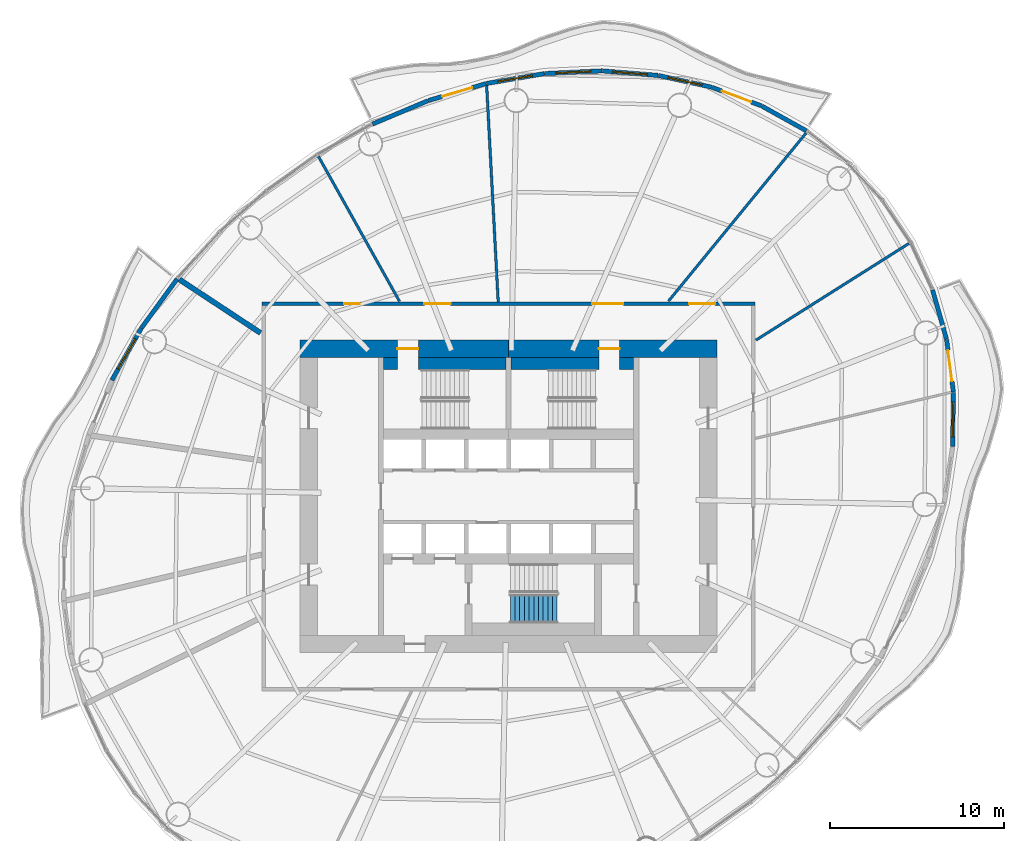
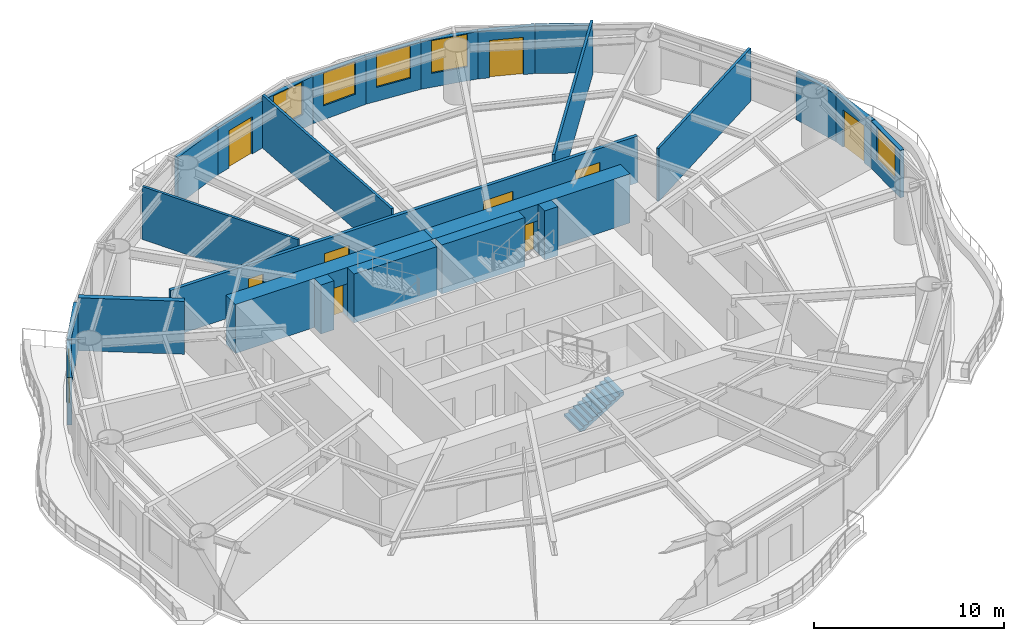
# One storey, part 10 of 14: 25 walls, 9 doors, 6 windows, 1 stair flight, 15 openings, 1 element without a shape of its own.
"""IFC4 building model written with IfcOpenShell, lengths in metres."""

from ifc_helpers import new_model, si_unit, direction, frame, frame_2d, origin, place, context, subcontext, project, spatial, polyline, rectangle, outline, extrude, material, layer, layer_set, type_object, element, fill, aggregate, save


model = new_model("IFC4")

# Units and contexts
model_context = context("Model", 3, precision=1e-05, world=origin(), true_north=direction((0.0, 1.0)))
body_context = subcontext(model_context, "Body", "Model", "MODEL_VIEW")
ifc_project = project(units=[si_unit("LENGTHUNIT", "METRE"), si_unit("AREAUNIT", "SQUARE_METRE"), si_unit("VOLUMEUNIT", "CUBIC_METRE"), si_unit("PLANEANGLEUNIT", "RADIAN"), si_unit("MASSUNIT", "GRAM", prefix="KILO")], contexts=[model_context])

# Site, building, storey
site_placement = place(None, origin())
site = spatial("IfcSite", under=ifc_project, at=site_placement, CompositionType="ELEMENT")
building_placement = place(site_placement, origin())
building = spatial("IfcBuilding", under=site, at=building_placement, Name="Vermilion Reach Broadcast Tower", CompositionType="ELEMENT")
storey_placement = place(building_placement, frame((0.0, 0.0, 186.60009765625)))
storey = spatial("IfcBuildingStorey", under=building, at=storey_placement, Name="L45", CompositionType="ELEMENT", Elevation=186.60009765625)

# Wall, opening, door
ifc_material_1 = material(Name="Concrete C70", Category="concrete")
ifc_layer_1 = layer(ifc_material_1, 1.0)
ifc_layer_set_1 = layer_set([ifc_layer_1], Name="Core outer wall 1000 mm Concrete C70")
wall_type_1 = type_object("IfcWallType", Name="Core outer wall 1000 mm Concrete C70", PredefinedType="SHEAR", material=ifc_layer_set_1)
wall_1_placement = place(storey_placement, frame((6.0, 8.5, 0.0), z_axis=(0.0, 0.0, 1.0), x_axis=(-1.0, 0.0, 0.0)))
wall_1 = element("IfcWall", 1, at=wall_1_placement, inside=storey, type_object=wall_type_1, Name="L45 core wall onE", PredefinedType="SHEAR", context=body_context, shape_type="SweptSolid", body=[
    extrude(rectangle(XDim=12.0, YDim=1.0, at=frame_2d((6.0, 0.0))), origin(), (0.0, 0.0, 1.0), 3.14990234375),
])
opening_1_placement = place(wall_1_placement, frame((5.60009765625, 0.0, 0.0)))
opening_1 = element("IfcOpeningElement", 2, at=opening_1_placement, cuts=wall_1, Name="Opening D01", PredefinedType="OPENING", context=body_context, shape_type="SweptSolid", body=[
    extrude(rectangle(XDim=1.199951171875, YDim=2.10009765625, at=frame_2d((0.60009765625, 1.050048828125))), frame((0.0, 0.510009765625, 0.0), z_axis=(0.0, -1.0, 0.0), x_axis=(1.0, 0.0, 0.0)), (0.0, 0.0, 1.0), 1.02001953125),
])
ifc_material_2 = material(Name="Painted steel fire door", Category="steel")
door_type_1 = type_object("IfcDoorType", Name="Stair door 1200 x 2100", OperationType="DOUBLE_DOOR_SINGLE_SWING", PredefinedType="NOTDEFINED", material=ifc_material_2)
door_1_placement = place(opening_1_placement, origin())
door_1 = element("IfcDoor", 3, at=door_1_placement, inside=storey, type_object=door_type_1, Name="L45 stair door ST2", OperationType="DOUBLE_DOOR_SINGLE_SWING", OverallHeight=2.10009765625, OverallWidth=1.199951171875, PredefinedType="NOTDEFINED", context=body_context, shape_type="SweptSolid", body=[
    extrude(rectangle(XDim=1.199951171875, YDim=2.10009765625, at=frame_2d((0.60009765625, 1.050048828125))), frame((0.0, 0.02490234375, 0.0), z_axis=(0.0, -1.0, 0.0), x_axis=(1.0, 0.0, 0.0)), (0.0, 0.0, 1.0), 0.050048828125),
])
fill(opening_1, door_1)

wall_2_placement = place(storey_placement, frame((-6.0, 8.5, 0.0), z_axis=(0.0, 0.0, 1.0), x_axis=(-1.0, 0.0, 0.0)))
wall_2 = element("IfcWall", 4, at=wall_2_placement, inside=storey, type_object=wall_type_1, Name="L45 core wall onW", PredefinedType="SHEAR", context=body_context, shape_type="SweptSolid", body=[
    extrude(rectangle(XDim=12.0, YDim=1.0, at=frame_2d((6.0, 0.0))), origin(), (0.0, 0.0, 1.0), 3.14990234375),
])
opening_2_placement = place(wall_2_placement, frame((5.199951171875, 0.0, 0.0)))
opening_2 = element("IfcOpeningElement", 5, at=opening_2_placement, cuts=wall_2, Name="Opening D01", PredefinedType="OPENING", context=body_context, shape_type="SweptSolid", body=[
    extrude(rectangle(XDim=1.199951171875, YDim=2.10009765625, at=frame_2d((0.60009765625, 1.050048828125))), frame((0.0, 0.510009765625, 0.0), z_axis=(0.0, -1.0, 0.0), x_axis=(1.0, 0.0, 0.0)), (0.0, 0.0, 1.0), 1.02001953125),
])
door_2_placement = place(opening_2_placement, origin())
door_2 = element("IfcDoor", 6, at=door_2_placement, inside=storey, type_object=door_type_1, Name="L45 stair door ST1", OperationType="DOUBLE_DOOR_SINGLE_SWING", OverallHeight=2.10009765625, OverallWidth=1.199951171875, PredefinedType="NOTDEFINED", context=body_context, shape_type="SweptSolid", body=[
    extrude(rectangle(XDim=1.199951171875, YDim=2.10009765625, at=frame_2d((0.60009765625, 1.050048828125))), frame((0.0, 0.02490234375, 0.0), z_axis=(0.0, -1.0, 0.0), x_axis=(1.0, 0.0, 0.0)), (0.0, 0.0, 1.0), 0.050048828125),
])
fill(opening_2, door_2)

# Walls
ifc_material_3 = material(Name="Concrete C70", Category="concrete")
ifc_layer_2 = layer(ifc_material_3, 0.699951171875)
ifc_layer_set_2 = layer_set([ifc_layer_2], Name="Core stair wall 700 mm Concrete C70")
wall_type_2 = type_object("IfcWallType", Name="Core stair wall 700 mm Concrete C70", PredefinedType="SHEAR", material=ifc_layer_set_2)
wall_3_placement = place(storey_placement, frame((-13.199951171875, 7.64990234375, 0.0), z_axis=(0.0, 0.0, 1.0), x_axis=(1.0, 0.0, 0.0)))
element("IfcWall", 7, at=wall_3_placement, inside=storey, type_object=wall_type_2, Name="L45 core wall l1a", PredefinedType="SHEAR", context=body_context, shape_type="SweptSolid", body=[
    extrude(rectangle(XDim=0.800048828125, YDim=0.699951171875, at=frame_2d((0.39990234375, 0.0))), origin(), (0.0, 0.0, 1.0), 3.14990234375),
])
for number, where, z_axis, x_axis, name in (
    (8, (-11.199951171875, 7.64990234375, 0.0), (0.0, 0.0, 1.0), (1.0, 0.0, 0.0), "L45 core wall l1b"),
    (9, (-5.85009765625, 7.64990234375, 0.0), (0.0, 0.0, 1.0), (1.0, 0.0, 0.0), "L45 core wall l2a"),
):
    element("IfcWall", number, at=place(storey_placement, frame(where, z_axis=z_axis, x_axis=x_axis)), inside=storey, type_object=wall_type_2, Name=name, PredefinedType="SHEAR", context=body_context, shape_type="SweptSolid", body=[
        extrude(rectangle(XDim=5.050048828125, YDim=0.699951171875, at=frame_2d((2.52490234375, 0.0))), origin(), (0.0, 0.0, 1.0), 3.14990234375),
    ])
wall_4_placement = place(storey_placement, frame((0.39990234375, 7.64990234375, 0.0), z_axis=(0.0, 0.0, 1.0), x_axis=(1.0, 0.0, 0.0)))
element("IfcWall", 10, at=wall_4_placement, inside=storey, type_object=wall_type_2, Name="L45 core wall l2b", PredefinedType="SHEAR", context=body_context, shape_type="SweptSolid", body=[
    extrude(rectangle(XDim=0.800048828125, YDim=0.699951171875, at=frame_2d((0.39990234375, 0.0))), origin(), (0.0, 0.0, 1.0), 3.14990234375),
])
ifc_material_4 = material(Name="Lightweight concrete block, plastered", Category="concrete")
ifc_layer_3 = layer(ifc_material_4, 0.14990234375)
ifc_layer_set_3 = layer_set([ifc_layer_3], Name="Partition 150 lightweight block")
wall_type_3 = type_object("IfcWallType", Name="Partition 150 lightweight block", PredefinedType="PARTITIONING", material=ifc_layer_set_3)
wall_5_placement = place(storey_placement, frame((11.126953125, 20.920654296875, 0.0), z_axis=(0.0, 0.0, 1.0), x_axis=(-0.633457906247, -0.773777152036, 0.0)))
element("IfcWall", 11, at=wall_5_placement, inside=storey, type_object=wall_type_3, Name="Partition 45.01", PredefinedType="PARTITIONING", context=body_context, shape_type="SweptSolid", body=[
    extrude(rectangle(XDim=12.501220703125, YDim=0.14990234375, at=frame_2d((6.25048828125, 0.0))), origin(), (0.0, 0.0, 1.0), 3.39990234375),
])
wall_6_placement = place(storey_placement, frame((-7.26318359375, 23.652587890625, 0.0), z_axis=(0.0, 0.0, 1.0), x_axis=(0.05332768543, -0.998577066614, 0.0)))
element("IfcWall", 12, at=wall_6_placement, inside=storey, type_object=wall_type_3, Name="Partition 45.02", PredefinedType="PARTITIONING", context=body_context, shape_type="SweptSolid", body=[
    extrude(rectangle(XDim=12.46630859375, YDim=0.14990234375, at=frame_2d((6.233154296875, 0.0))), origin(), (0.0, 0.0, 1.0), 3.39990234375),
])
wall_7_placement = place(storey_placement, frame((-16.9453125, 19.571044921875, 0.0), z_axis=(0.0, 0.0, 1.0), x_axis=(0.488111272847, -0.872781407524, 0.0)))
element("IfcWall", 13, at=wall_7_placement, inside=storey, type_object=wall_type_3, Name="Partition 45.03", PredefinedType="PARTITIONING", context=body_context, shape_type="SweptSolid", body=[
    extrude(rectangle(XDim=9.54931640625, YDim=0.14990234375, at=frame_2d((4.774658203125, 0.0))), origin(), (0.0, 0.0, 1.0), 3.39990234375),
])
wall_8_placement = place(storey_placement, frame((17.048828125, 14.564697265625, 0.0), z_axis=(0.0, 0.0, 1.0), x_axis=(-0.845361941964, -0.534193960167, 0.0)))
element("IfcWall", 14, at=wall_8_placement, inside=storey, type_object=wall_type_3, Name="Partition 45.12", PredefinedType="PARTITIONING", context=body_context, shape_type="SweptSolid", body=[
    extrude(rectangle(XDim=10.420166015625, YDim=0.14990234375, at=frame_2d((5.2099609375, 0.0))), origin(), (0.0, 0.0, 1.0), 3.39990234375),
])
ifc_material_5 = material(Name="Double-leaf plasterboard on isolated steel stud", Category="steel")
ifc_layer_4 = layer(ifc_material_5, 0.300048828125)
ifc_layer_set_4 = layer_set([ifc_layer_4], Name="Partition 300 acoustic double leaf")
wall_type_4 = type_object("IfcWallType", Name="Partition 300 acoustic double leaf", PredefinedType="PARTITIONING", material=ifc_layer_set_4)
wall_9_placement = place(storey_placement, frame((-24.95458984375, 12.49169921875, 0.0), z_axis=(0.0, 0.0, 1.0), x_axis=(0.834978707923, -0.550282252408, 0.0)))
element("IfcWall", 15, at=wall_9_placement, inside=storey, type_object=wall_type_4, Name="Partition 45.04", PredefinedType="PARTITIONING", context=body_context, shape_type="SweptSolid", body=[
    extrude(rectangle(XDim=5.595458984375, YDim=0.300048828125, at=frame_2d((2.7978515625, 0.0))), origin(), (0.0, 0.0, 1.0), 3.39990234375),
])
ifc_material_6 = material(Name="Terracotta rainscreen cladding", Category="masonry")
ifc_layer_5 = layer(ifc_material_6, 0.25)
ifc_layer_set_5 = layer_set([ifc_layer_5], Name="Terracotta rainscreen wall 250")
wall_type_5 = type_object("IfcWallType", Name="Terracotta rainscreen wall 250", PredefinedType="SOLIDWALL", material=ifc_layer_set_5)
wall_10_placement = place(storey_placement, frame((11.14794921875, 21.051513671875, 0.0), z_axis=(0.0, 0.0, 1.0), x_axis=(-0.87378450028, 0.486313321914, 0.0)))
element("IfcWall", 16, at=wall_10_placement, inside=storey, type_object=wall_type_5, Name="External wall L45 02", PredefinedType="SOLIDWALL", context=body_context, shape_type="SweptSolid", body=[
    extrude(rectangle(XDim=2.936767578125, YDim=0.25, at=frame_2d((1.46826171875, 0.0))), origin(), (0.0, 0.0, 1.0), 3.0498046875),
])

# Wall, opening, door
wall_11_placement = place(storey_placement, frame((8.5576171875, 22.490966796875, 0.0), z_axis=(0.0, 0.0, 1.0), x_axis=(-0.936302820001, 0.351193720413, 0.0)))
wall_11 = element("IfcWall", 17, at=wall_11_placement, inside=storey, type_object=wall_type_5, Name="External wall L45 03", PredefinedType="SOLIDWALL", context=body_context, shape_type="SweptSolid", body=[
    extrude(rectangle(XDim=3.045654296875, YDim=0.25, at=frame_2d((1.52294921875, 0.0))), origin(), (0.0, 0.0, 1.0), 3.0498046875),
])
opening_3_placement = place(wall_11_placement, frame((0.623046875, 0.0, 0.0)))
opening_3 = element("IfcOpeningElement", 18, at=opening_3_placement, cuts=wall_11, Name="Opening D70", PredefinedType="OPENING", context=body_context, shape_type="SweptSolid", body=[
    extrude(rectangle(XDim=1.800048828125, YDim=2.39990234375, at=frame_2d((0.89990234375, 1.199951171875))), frame((0.0, 0.135009765625, 0.0), z_axis=(0.0, -1.0, 0.0), x_axis=(1.0, 0.0, 0.0)), (0.0, 0.0, 1.0), 0.27001953125),
])
ifc_material_7 = material(Name="Low-e laminated clear glass in aluminium frame", Category="aluminium")
door_type_2 = type_object("IfcDoorType", Name="Balcony sliding door 1800 x 2400", OperationType="DOUBLE_DOOR_SLIDING", PredefinedType="DOOR", material=ifc_material_7)
door_3_placement = place(opening_3_placement, origin())
door_3 = element("IfcDoor", 19, at=door_3_placement, inside=storey, type_object=door_type_2, Name="Balcony door L45 run 01", OperationType="DOUBLE_DOOR_SLIDING", OverallHeight=2.39990234375, OverallWidth=1.800048828125, PredefinedType="DOOR", context=body_context, shape_type="SweptSolid", body=[
    extrude(rectangle(XDim=1.800048828125, YDim=2.39990234375, at=frame_2d((0.89990234375, 1.199951171875))), frame((0.0, 0.02490234375, 0.0), z_axis=(0.0, -1.0, 0.0), x_axis=(1.0, 0.0, 0.0)), (0.0, 0.0, 1.0), 0.050048828125),
])
fill(opening_3, door_3)

# Wall, opening, window
wall_12_placement = place(storey_placement, frame((5.681396484375, 23.56787109375, 0.0), z_axis=(0.0, 0.0, 1.0), x_axis=(-0.976666093786, 0.214763454175, 0.0)))
wall_12 = element("IfcWall", 20, at=wall_12_placement, inside=storey, type_object=wall_type_5, Name="External wall L45 04", PredefinedType="SOLIDWALL", context=body_context, shape_type="SweptSolid", body=[
    extrude(rectangle(XDim=3.126220703125, YDim=0.25, at=frame_2d((1.56298828125, 0.0))), origin(), (0.0, 0.0, 1.0), 3.0498046875),
])
opening_4_placement = place(wall_12_placement, frame((0.56298828125, 0.0, 0.89990234375)))
opening_4 = element("IfcOpeningElement", 21, at=opening_4_placement, cuts=wall_12, Name="Opening W03", PredefinedType="OPENING", context=body_context, shape_type="SweptSolid", body=[
    extrude(rectangle(XDim=2.0, YDim=2.10009765625, at=frame_2d((1.0, 1.050048828125))), frame((0.0, 0.135009765625, 0.0), z_axis=(0.0, -1.0, 0.0), x_axis=(1.0, 0.0, 0.0)), (0.0, 0.0, 1.0), 0.27001953125),
])
ifc_material_8 = material(Name="Low-e laminated clear glass in aluminium frame", Category="aluminium")
window_type = type_object("IfcWindowType", Name="Punched window 2000 x 2100 sill 900", PartitioningType="SINGLE_PANEL", PredefinedType="WINDOW", material=ifc_material_8)
window_1_placement = place(opening_4_placement, origin())
window_1 = element("IfcWindow", 22, at=window_1_placement, inside=storey, type_object=window_type, Name="Window L45 04", OverallHeight=2.10009765625, OverallWidth=2.0, PartitioningType="SINGLE_PANEL", PredefinedType="WINDOW", context=body_context, shape_type="SweptSolid", body=[
    extrude(rectangle(XDim=2.0, YDim=2.10009765625, at=frame_2d((1.0, 1.050048828125))), frame((0.0, 0.030029296875, 0.0), z_axis=(0.0, -1.0, 0.0), x_axis=(1.0, 0.0, 0.0)), (0.0, 0.0, 1.0), 0.06005859375),
])
fill(opening_4, window_1)

wall_13_placement = place(storey_placement, frame((2.603515625, 24.242919921875, 0.0), z_axis=(0.0, 0.0, 1.0), x_axis=(-0.996696549615, 0.081215688051, 0.0)))
wall_13 = element("IfcWall", 23, at=wall_13_placement, inside=storey, type_object=wall_type_5, Name="External wall L45 05", PredefinedType="SOLIDWALL", context=body_context, shape_type="SweptSolid", body=[
    extrude(rectangle(XDim=3.21337890625, YDim=0.25, at=frame_2d((1.606689453125, 0.0))), origin(), (0.0, 0.0, 1.0), 3.0498046875),
])
opening_5_placement = place(wall_13_placement, frame((0.606689453125, 0.0, 0.89990234375)))
opening_5 = element("IfcOpeningElement", 24, at=opening_5_placement, cuts=wall_13, Name="Opening W03", PredefinedType="OPENING", context=body_context, shape_type="SweptSolid", body=[
    extrude(rectangle(XDim=2.0, YDim=2.10009765625, at=frame_2d((1.0, 1.050048828125))), frame((0.0, 0.135009765625, 0.0), z_axis=(0.0, -1.0, 0.0), x_axis=(1.0, 0.0, 0.0)), (0.0, 0.0, 1.0), 0.27001953125),
])
window_2_placement = place(opening_5_placement, origin())
window_2 = element("IfcWindow", 25, at=window_2_placement, inside=storey, type_object=window_type, Name="Window L45 05", OverallHeight=2.10009765625, OverallWidth=2.0, PartitioningType="SINGLE_PANEL", PredefinedType="WINDOW", context=body_context, shape_type="SweptSolid", body=[
    extrude(rectangle(XDim=2.0, YDim=2.10009765625, at=frame_2d((1.0, 1.050048828125))), frame((0.0, 0.030029296875, 0.0), z_axis=(0.0, -1.0, 0.0), x_axis=(1.0, 0.0, 0.0)), (0.0, 0.0, 1.0), 0.06005859375),
])
fill(opening_5, window_2)

wall_14_placement = place(storey_placement, frame((-0.623291015625, 24.50439453125, 0.0), z_axis=(0.0, 0.0, 1.0), x_axis=(-0.998890112475, -0.047101413994, 0.0)))
wall_14 = element("IfcWall", 26, at=wall_14_placement, inside=storey, type_object=wall_type_5, Name="External wall L45 06", PredefinedType="SOLIDWALL", context=body_context, shape_type="SweptSolid", body=[
    extrude(rectangle(XDim=3.3017578125, YDim=0.25, at=frame_2d((1.65087890625, 0.0))), origin(), (0.0, 0.0, 1.0), 3.0498046875),
])
opening_6_placement = place(wall_14_placement, frame((0.65087890625, 0.0, 0.89990234375)))
opening_6 = element("IfcOpeningElement", 27, at=opening_6_placement, cuts=wall_14, Name="Opening W03", PredefinedType="OPENING", context=body_context, shape_type="SweptSolid", body=[
    extrude(rectangle(XDim=2.0, YDim=2.10009765625, at=frame_2d((1.0, 1.050048828125))), frame((0.0, 0.135009765625, 0.0), z_axis=(0.0, -1.0, 0.0), x_axis=(1.0, 0.0, 0.0)), (0.0, 0.0, 1.0), 0.27001953125),
])
window_3_placement = place(opening_6_placement, origin())
window_3 = element("IfcWindow", 28, at=window_3_placement, inside=storey, type_object=window_type, Name="Window L45 06", OverallHeight=2.10009765625, OverallWidth=2.0, PartitioningType="SINGLE_PANEL", PredefinedType="WINDOW", context=body_context, shape_type="SweptSolid", body=[
    extrude(rectangle(XDim=2.0, YDim=2.10009765625, at=frame_2d((1.0, 1.050048828125))), frame((0.0, 0.030029296875, 0.0), z_axis=(0.0, -1.0, 0.0), x_axis=(1.0, 0.0, 0.0)), (0.0, 0.0, 1.0), 0.06005859375),
])
fill(opening_6, window_3)

wall_15_placement = place(storey_placement, frame((-3.9443359375, 24.346435546875, 0.0), z_axis=(0.0, 0.0, 1.0), x_axis=(-0.985711019597, -0.168445201314, 0.0)))
wall_15 = element("IfcWall", 29, at=wall_15_placement, inside=storey, type_object=wall_type_5, Name="External wall L45 07", PredefinedType="SOLIDWALL", context=body_context, shape_type="SweptSolid", body=[
    extrude(rectangle(XDim=3.38427734375, YDim=0.25, at=frame_2d((1.692138671875, 0.0))), origin(), (0.0, 0.0, 1.0), 3.0498046875),
])
opening_7_placement = place(wall_15_placement, frame((0.692138671875, 0.0, 0.89990234375)))
opening_7 = element("IfcOpeningElement", 30, at=opening_7_placement, cuts=wall_15, Name="Opening W03", PredefinedType="OPENING", context=body_context, shape_type="SweptSolid", body=[
    extrude(rectangle(XDim=2.0, YDim=2.10009765625, at=frame_2d((1.0, 1.050048828125))), frame((0.0, 0.135009765625, 0.0), z_axis=(0.0, -1.0, 0.0), x_axis=(1.0, 0.0, 0.0)), (0.0, 0.0, 1.0), 0.27001953125),
])
window_4_placement = place(opening_7_placement, origin())
window_4 = element("IfcWindow", 31, at=window_4_placement, inside=storey, type_object=window_type, Name="Window L45 07", OverallHeight=2.10009765625, OverallWidth=2.0, PartitioningType="SINGLE_PANEL", PredefinedType="WINDOW", context=body_context, shape_type="SweptSolid", body=[
    extrude(rectangle(XDim=2.0, YDim=2.10009765625, at=frame_2d((1.0, 1.050048828125))), frame((0.0, 0.030029296875, 0.0), z_axis=(0.0, -1.0, 0.0), x_axis=(1.0, 0.0, 0.0)), (0.0, 0.0, 1.0), 0.06005859375),
])
fill(opening_7, window_4)

# Wall, opening, door
wall_16_placement = place(storey_placement, frame((-7.30224609375, 23.771240234375, 0.0), z_axis=(0.0, 0.0, 1.0), x_axis=(-0.959327255186, -0.28229632916, 0.0)))
wall_16 = element("IfcWall", 32, at=wall_16_placement, inside=storey, type_object=wall_type_5, Name="External wall L45 08", PredefinedType="SOLIDWALL", context=body_context, shape_type="SweptSolid", body=[
    extrude(rectangle(XDim=3.456787109375, YDim=0.25, at=frame_2d((1.728515625, 0.0))), origin(), (0.0, 0.0, 1.0), 3.0498046875),
])
opening_8_placement = place(wall_16_placement, frame((0.827880859375, 0.0, 0.0)))
opening_8 = element("IfcOpeningElement", 33, at=opening_8_placement, cuts=wall_16, Name="Opening D70", PredefinedType="OPENING", context=body_context, shape_type="SweptSolid", body=[
    extrude(rectangle(XDim=1.800048828125, YDim=2.39990234375, at=frame_2d((0.89990234375, 1.199951171875))), frame((0.0, 0.135009765625, 0.0), z_axis=(0.0, -1.0, 0.0), x_axis=(1.0, 0.0, 0.0)), (0.0, 0.0, 1.0), 0.27001953125),
])
door_4_placement = place(opening_8_placement, origin())
door_4 = element("IfcDoor", 34, at=door_4_placement, inside=storey, type_object=door_type_2, Name="Balcony door L45 run 02", OperationType="DOUBLE_DOOR_SLIDING", OverallHeight=2.39990234375, OverallWidth=1.800048828125, PredefinedType="DOOR", context=body_context, shape_type="SweptSolid", body=[
    extrude(rectangle(XDim=1.800048828125, YDim=2.39990234375, at=frame_2d((0.89990234375, 1.199951171875))), frame((0.0, 0.02490234375, 0.0), z_axis=(0.0, -1.0, 0.0), x_axis=(1.0, 0.0, 0.0)), (0.0, 0.0, 1.0), 0.050048828125),
])
fill(opening_8, door_4)

# Walls
for number, where, z_axis, x_axis, name in (
    (35, (-10.639404296875, 22.7880859375, 0.0), (0.0, 0.0, 1.0), (-0.921468444672, -0.388453221733, 0.0), "External wall L45 09"),
    (36, (-25.083984375, 12.526123046875, 0.0), (0.0, 0.0, 1.0), (-0.588548101518, -0.808462202085, 0.0), "External wall L45 14"),
):
    element("IfcWall", number, at=place(storey_placement, frame(where, z_axis=z_axis, x_axis=x_axis)), inside=storey, type_object=wall_type_5, Name=name, PredefinedType="SOLIDWALL", context=body_context, shape_type="SweptSolid", body=[
        extrude(rectangle(XDim=3.470458984375, YDim=0.25, at=frame_2d((1.7353515625, 0.0))), origin(), (0.0, 0.0, 1.0), 3.0498046875),
    ])

# Wall, opening, window
wall_17_placement = place(storey_placement, frame((-27.138427734375, 9.701904296875, 0.0), z_axis=(0.0, 0.0, 1.0), x_axis=(-0.493878356134, -0.869531005394, 0.0)))
wall_17 = element("IfcWall", 37, at=wall_17_placement, inside=storey, type_object=wall_type_5, Name="External wall L45 15", PredefinedType="SOLIDWALL", context=body_context, shape_type="SweptSolid", body=[
    extrude(rectangle(XDim=3.456787109375, YDim=0.25, at=frame_2d((1.728515625, 0.0))), origin(), (0.0, 0.0, 1.0), 3.0498046875),
])
opening_9_placement = place(wall_17_placement, frame((0.728271484375, 0.0, 0.89990234375)))
opening_9 = element("IfcOpeningElement", 38, at=opening_9_placement, cuts=wall_17, Name="Opening W03", PredefinedType="OPENING", context=body_context, shape_type="SweptSolid", body=[
    extrude(rectangle(XDim=2.0, YDim=2.10009765625, at=frame_2d((1.0, 1.050048828125))), frame((0.0, 0.135009765625, 0.0), z_axis=(0.0, -1.0, 0.0), x_axis=(1.0, 0.0, 0.0)), (0.0, 0.0, 1.0), 0.27001953125),
])
window_5_placement = place(opening_9_placement, origin())
window_5 = element("IfcWindow", 39, at=window_5_placement, inside=storey, type_object=window_type, Name="Window L45 15", OverallHeight=2.10009765625, OverallWidth=2.0, PartitioningType="SINGLE_PANEL", PredefinedType="WINDOW", context=body_context, shape_type="SweptSolid", body=[
    extrude(rectangle(XDim=2.0, YDim=2.10009765625, at=frame_2d((1.0, 1.050048828125))), frame((0.0, 0.030029296875, 0.0), z_axis=(0.0, -1.0, 0.0), x_axis=(1.0, 0.0, 0.0)), (0.0, 0.0, 1.0), 0.06005859375),
])
fill(opening_9, window_5)

wall_18_placement = place(storey_placement, frame((19.569091796875, 2.865234375, 0.0), z_axis=(0.0, 0.0, 1.0), x_axis=(0.013901648004, 0.999903367422, 0.0)))
wall_18 = element("IfcWall", 40, at=wall_18_placement, inside=storey, type_object=wall_type_5, Name="External wall L45 43", PredefinedType="SOLIDWALL", context=body_context, shape_type="SweptSolid", body=[
    extrude(rectangle(XDim=3.1259765625, YDim=0.25, at=frame_2d((1.56298828125, 0.0))), origin(), (0.0, 0.0, 1.0), 3.0498046875),
])
opening_10_placement = place(wall_18_placement, frame((0.56298828125, 0.0, 0.89990234375)))
opening_10 = element("IfcOpeningElement", 41, at=opening_10_placement, cuts=wall_18, Name="Opening W03", PredefinedType="OPENING", context=body_context, shape_type="SweptSolid", body=[
    extrude(rectangle(XDim=2.0, YDim=2.10009765625, at=frame_2d((1.0, 1.050048828125))), frame((0.0, 0.135009765625, 0.0), z_axis=(0.0, -1.0, 0.0), x_axis=(1.0, 0.0, 0.0)), (0.0, 0.0, 1.0), 0.27001953125),
])
window_6_placement = place(opening_10_placement, origin())
window_6 = element("IfcWindow", 42, at=window_6_placement, inside=storey, type_object=window_type, Name="Window L45 43", OverallHeight=2.10009765625, OverallWidth=2.0, PartitioningType="SINGLE_PANEL", PredefinedType="WINDOW", context=body_context, shape_type="SweptSolid", body=[
    extrude(rectangle(XDim=2.0, YDim=2.10009765625, at=frame_2d((1.0, 1.050048828125))), frame((0.0, 0.030029296875, 0.0), z_axis=(0.0, -1.0, 0.0), x_axis=(1.0, 0.0, 0.0)), (0.0, 0.0, 1.0), 0.06005859375),
])
fill(opening_10, window_6)

# Wall, opening, door
wall_19_placement = place(storey_placement, frame((19.611083984375, 6.016845703125, 0.0), z_axis=(0.0, 0.0, 1.0), x_axis=(-0.128108697177, 0.991760133151, 0.0)))
wall_19 = element("IfcWall", 43, at=wall_19_placement, inside=storey, type_object=wall_type_5, Name="External wall L45 44", PredefinedType="SOLIDWALL", context=body_context, shape_type="SweptSolid", body=[
    extrude(rectangle(XDim=3.04541015625, YDim=0.25, at=frame_2d((1.522705078125, 0.0))), origin(), (0.0, 0.0, 1.0), 3.0498046875),
])
opening_11_placement = place(wall_19_placement, frame((0.623046875, 0.0, 0.0)))
opening_11 = element("IfcOpeningElement", 44, at=opening_11_placement, cuts=wall_19, Name="Opening D70", PredefinedType="OPENING", context=body_context, shape_type="SweptSolid", body=[
    extrude(rectangle(XDim=1.800048828125, YDim=2.39990234375, at=frame_2d((0.89990234375, 1.199951171875))), frame((0.0, 0.135009765625, 0.0), z_axis=(0.0, -1.0, 0.0), x_axis=(1.0, 0.0, 0.0)), (0.0, 0.0, 1.0), 0.27001953125),
])
door_5_placement = place(opening_11_placement, origin())
door_5 = element("IfcDoor", 45, at=door_5_placement, inside=storey, type_object=door_type_2, Name="Balcony door L45 run 11", OperationType="DOUBLE_DOOR_SLIDING", OverallHeight=2.39990234375, OverallWidth=1.800048828125, PredefinedType="DOOR", context=body_context, shape_type="SweptSolid", body=[
    extrude(rectangle(XDim=1.800048828125, YDim=2.39990234375, at=frame_2d((0.89990234375, 1.199951171875))), frame((0.0, 0.02490234375, 0.0), z_axis=(0.0, -1.0, 0.0), x_axis=(1.0, 0.0, 0.0)), (0.0, 0.0, 1.0), 0.050048828125),
])
fill(opening_11, door_5)

# Wall
wall_20_placement = place(storey_placement, frame((19.215576171875, 9.063232421875, 0.0), z_axis=(0.0, 0.0, 1.0), x_axis=(-0.273919515729, 0.96175261835, 0.0)))
element("IfcWall", 46, at=wall_20_placement, inside=storey, type_object=wall_type_5, Name="External wall L45 45", PredefinedType="SOLIDWALL", context=body_context, shape_type="SweptSolid", body=[
    extrude(rectangle(XDim=2.936767578125, YDim=0.25, at=frame_2d((1.46826171875, 0.0))), origin(), (0.0, 0.0, 1.0), 3.0498046875),
])

# Wall, openings, doors
ifc_material_9 = material(Name="Fire-rated gypsum board partition")
ifc_layer_6 = layer(ifc_material_9, 0.199951171875)
ifc_layer_set_6 = layer_set([ifc_layer_6], Name="Under girder: Corridor wall 200 fire-rated")
wall_type_6 = type_object("IfcWallType", Name="Under girder: Corridor wall 200 fire-rated", PredefinedType="PARTITIONING", material=ifc_layer_set_6)
wall_21_placement = place(storey_placement, frame((-20.199951171875, 11.10009765625, 0.0), z_axis=(0.0, 0.0, 1.0), x_axis=(1.0, 0.0, 0.0)))
wall_21 = element("IfcWall", 47, at=wall_21_placement, inside=storey, type_object=wall_type_6, Name="Corridor wall 45.N", PredefinedType="PARTITIONING", context=body_context, shape_type="SweptSolid", body=[
    extrude(rectangle(XDim=28.39990234375, YDim=0.199951171875, at=frame_2d((14.199951171875, 0.0))), origin(), (0.0, 0.0, 1.0), 3.0),
])
opening_12_placement = place(wall_21_placement, frame((19.0087890625, 0.0, 0.0)))
opening_12 = element("IfcOpeningElement", 48, at=opening_12_placement, cuts=wall_21, Name="Opening D21", PredefinedType="OPENING", context=body_context, shape_type="SweptSolid", body=[
    extrude(rectangle(XDim=1.800048828125, YDim=2.10009765625, at=frame_2d((0.89990234375, 1.050048828125))), frame((0.0, 0.10986328125, 0.0), z_axis=(0.0, -1.0, 0.0), x_axis=(1.0, 0.0, 0.0)), (0.0, 0.0, 1.0), 0.219970703125),
])
opening_13_placement = place(wall_21_placement, frame((9.35595703125, 0.0, 0.0)))
opening_13 = element("IfcOpeningElement", 49, at=opening_13_placement, cuts=wall_21, Name="Opening D24", PredefinedType="OPENING", context=body_context, shape_type="SweptSolid", body=[
    extrude(rectangle(XDim=1.5, YDim=2.10009765625, at=frame_2d((0.75, 1.050048828125))), frame((0.0, 0.10986328125, 0.0), z_axis=(0.0, -1.0, 0.0), x_axis=(1.0, 0.0, 0.0)), (0.0, 0.0, 1.0), 0.219970703125),
])
opening_14_placement = place(wall_21_placement, frame((4.725341796875, 0.0, 0.0)))
opening_14 = element("IfcOpeningElement", 50, at=opening_14_placement, cuts=wall_21, Name="Opening D22", PredefinedType="OPENING", context=body_context, shape_type="SweptSolid", body=[
    extrude(rectangle(XDim=0.89990234375, YDim=2.10009765625, at=frame_2d((0.449951171875, 1.050048828125))), frame((0.0, 0.10986328125, 0.0), z_axis=(0.0, -1.0, 0.0), x_axis=(1.0, 0.0, 0.0)), (0.0, 0.0, 1.0), 0.219970703125),
])
opening_15_placement = place(wall_21_placement, frame((24.598388671875, 0.0, 0.0)))
opening_15 = element("IfcOpeningElement", 51, at=opening_15_placement, cuts=wall_21, Name="Opening D24", PredefinedType="OPENING", context=body_context, shape_type="SweptSolid", body=[
    extrude(rectangle(XDim=1.5, YDim=2.10009765625, at=frame_2d((0.75, 1.050048828125))), frame((0.0, 0.10986328125, 0.0), z_axis=(0.0, -1.0, 0.0), x_axis=(1.0, 0.0, 0.0)), (0.0, 0.0, 1.0), 0.219970703125),
])
ifc_material_10 = material(Name="Timber door leaf", Category="wood")
door_type_3 = type_object("IfcDoorType", Name="Door pair 1500x2100", OperationType="NOTDEFINED", PredefinedType="DOOR", material=ifc_material_10)
door_6_placement = place(opening_13_placement, origin())
door_6 = element("IfcDoor", 52, at=door_6_placement, inside=storey, type_object=door_type_3, Name="Door 45.02", OperationType="DOUBLE_DOOR_SINGLE_SWING", OverallHeight=2.10009765625, OverallWidth=1.5, PredefinedType="DOOR", context=body_context, shape_type="SweptSolid", body=[
    extrude(rectangle(XDim=1.5, YDim=2.10009765625, at=frame_2d((0.75, 1.050048828125))), frame((0.0, 0.02490234375, 0.0), z_axis=(0.0, -1.0, 0.0), x_axis=(1.0, 0.0, 0.0)), (0.0, 0.0, 1.0), 0.050048828125),
])
fill(opening_13, door_6)
door_7_placement = place(opening_15_placement, origin())
door_7 = element("IfcDoor", 53, at=door_7_placement, inside=storey, type_object=door_type_3, Name="Door 45.12", OperationType="DOUBLE_DOOR_SINGLE_SWING", OverallHeight=2.10009765625, OverallWidth=1.5, PredefinedType="DOOR", context=body_context, shape_type="SweptSolid", body=[
    extrude(rectangle(XDim=1.5, YDim=2.10009765625, at=frame_2d((0.75, 1.050048828125))), frame((0.0, 0.02490234375, 0.0), z_axis=(0.0, -1.0, 0.0), x_axis=(1.0, 0.0, 0.0)), (0.0, 0.0, 1.0), 0.050048828125),
])
fill(opening_15, door_7)
ifc_material_11 = material(Name="Timber door leaf", Category="wood")
door_type_4 = type_object("IfcDoorType", Name="Door pair 1800x2100", OperationType="NOTDEFINED", PredefinedType="DOOR", material=ifc_material_11)
door_8_placement = place(opening_12_placement, origin())
door_8 = element("IfcDoor", 54, at=door_8_placement, inside=storey, type_object=door_type_4, Name="Door 45.01", OperationType="DOUBLE_DOOR_SINGLE_SWING", OverallHeight=2.10009765625, OverallWidth=1.800048828125, PredefinedType="DOOR", context=body_context, shape_type="SweptSolid", body=[
    extrude(rectangle(XDim=1.800048828125, YDim=2.10009765625, at=frame_2d((0.89990234375, 1.050048828125))), frame((0.0, 0.02490234375, 0.0), z_axis=(0.0, -1.0, 0.0), x_axis=(1.0, 0.0, 0.0)), (0.0, 0.0, 1.0), 0.050048828125),
])
fill(opening_12, door_8)
ifc_material_12 = material(Name="Timber door leaf", Category="wood")
door_type_5 = type_object("IfcDoorType", Name="Door single 900x2100", OperationType="NOTDEFINED", PredefinedType="DOOR", material=ifc_material_12)
door_9_placement = place(opening_14_placement, origin())
door_9 = element("IfcDoor", 55, at=door_9_placement, inside=storey, type_object=door_type_5, Name="Door 45.03", OperationType="SINGLE_SWING_RIGHT", OverallHeight=2.10009765625, OverallWidth=0.89990234375, PredefinedType="DOOR", context=body_context, shape_type="SweptSolid", body=[
    extrude(rectangle(XDim=0.89990234375, YDim=2.10009765625, at=frame_2d((0.449951171875, 1.050048828125))), frame((0.0, 0.02490234375, 0.0), z_axis=(0.0, -1.0, 0.0), x_axis=(1.0, 0.0, 0.0)), (0.0, 0.0, 1.0), 0.050048828125),
])
fill(opening_14, door_9)

# Stair, stair flight
ifc_material_13 = material(Name="Concrete C40", Category="concrete")
stair_type = type_object("IfcStairType", Name="Exit stair RC 22 risers 164 mm", PredefinedType="HALF_TURN_STAIR", material=ifc_material_13)
stair_placement = place(storey_placement, origin())
stair = element("IfcStair", 56, at=stair_placement, inside=storey, type_object=stair_type, Name="L45 Exit stair ST3", PredefinedType="HALF_TURN_STAIR")
ifc_material_14 = material(Name="Concrete C40", Category="concrete")
stair_flight_type = type_object("IfcStairFlightType", Name="Exit stair flight RC 11 risers", PredefinedType="STRAIGHT", material=ifc_material_14)
stair_flight_placement = place(storey_placement, frame((-5.89990234375, -6.469970703125, 0.0), z_axis=(0.0, 0.0, 1.0), x_axis=(1.0, 0.0, 0.0)))
stair_flight = element("IfcStairFlight", 57, at=stair_flight_placement, type_object=stair_flight_type, Name="ST3 flight 1", NumberOfRisers=11, NumberOfTreads=10, PredefinedType="STRAIGHT", RiserHeight=0.163636364, TreadLength=0.27, context=body_context, shape_type="SweptSolid", body=[
    extrude(outline(polyline([(0.0, 0.0), (0.0, 0.16357421875), (0.27001953125, 0.16357421875), (0.27001953125, 0.327392578125), (0.5400390625, 0.327392578125), (0.5400390625, 0.490966796875), (0.81005859375, 0.490966796875), (0.81005859375, 0.654541015625), (1.080078125, 0.654541015625), (1.080078125, 0.818115234375), (1.35009765625, 0.818115234375), (1.35009765625, 0.98193359375), (1.6201171875, 0.98193359375), (1.6201171875, 1.1455078125), (1.889892578125, 1.1455078125), (1.889892578125, 1.30908203125), (2.159912109375, 1.30908203125), (2.159912109375, 1.47265625), (2.429931640625, 1.47265625), (2.429931640625, 1.636474609375), (2.699951171875, 1.636474609375), (2.699951171875, 1.800048828125), (2.699951171875, 1.461181640625), (0.289306640625, 0.0), (0.0, 0.0)])), frame((0.0, 0.830078125, 0.0), z_axis=(0.0, -1.0, 0.0), x_axis=(1.0, 0.0, 0.0)), (0.0, 0.0, 1.0), 1.659912109375),
])
aggregate(stair, [stair_flight])

save(model, "model.ifc")
